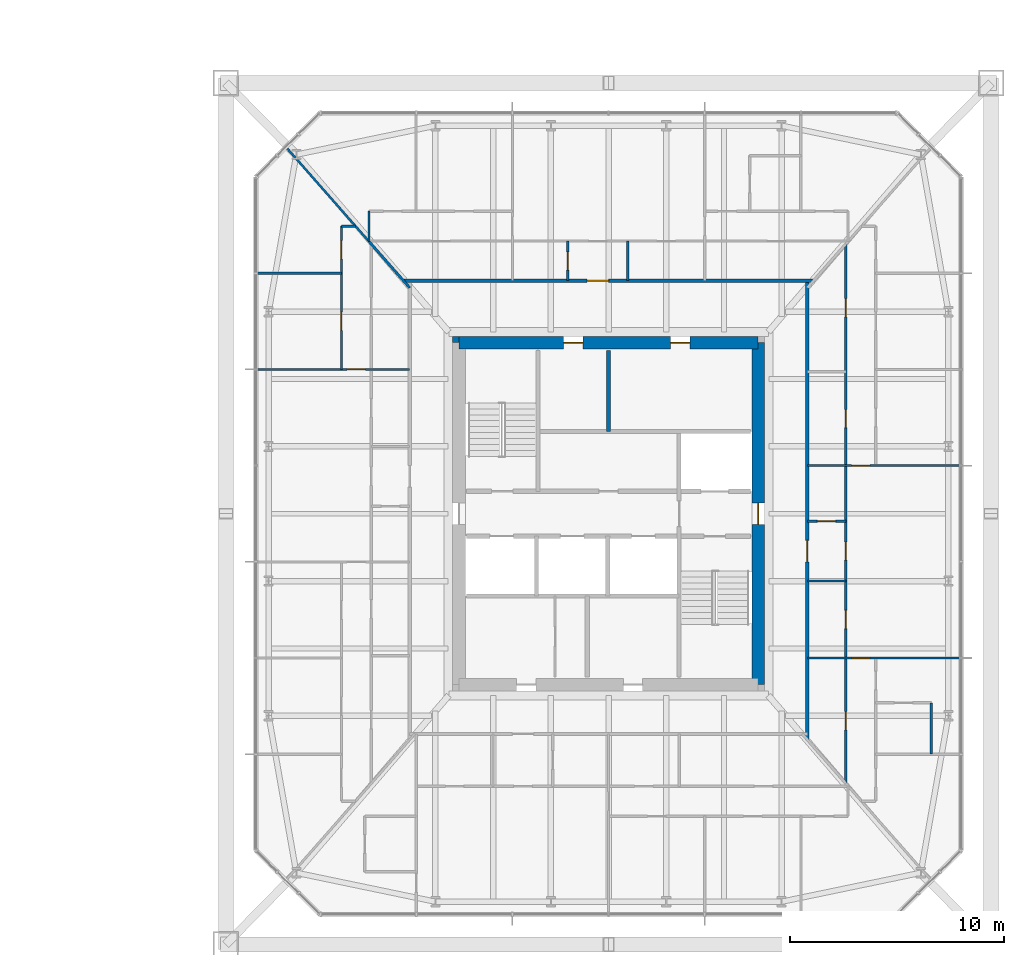
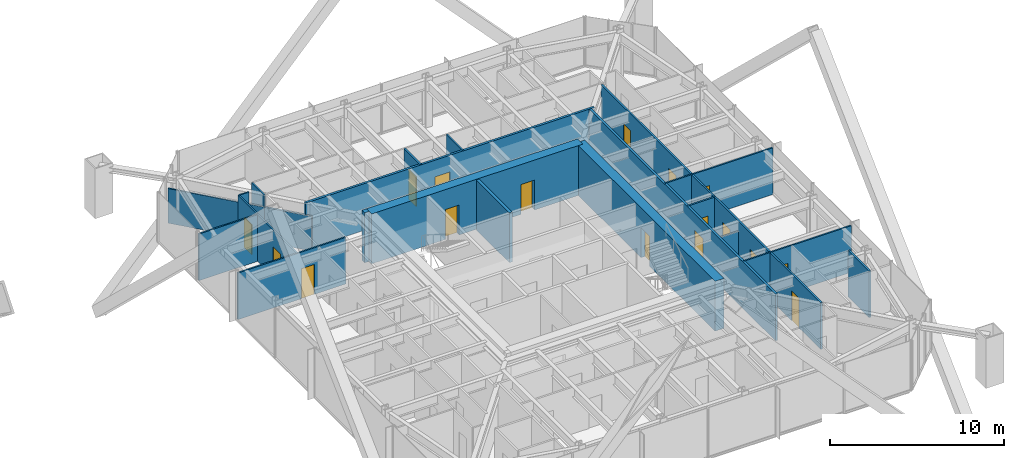
# One storey, part 22 of 28: 21 walls, 17 doors, 17 openings.
"""IFC4 building model written with IfcOpenShell, lengths in metres."""

from ifc_helpers import new_model, si_unit, direction, frame, frame_2d, origin, place, context, subcontext, project, spatial, rectangle, extrude, material, layer, layer_set, type_object, element, fill, save


model = new_model("IFC4")

# Units and contexts
model_context = context("Model", 3, precision=1e-05, world=origin(), true_north=direction((0.0, 1.0)))
body_context = subcontext(model_context, "Body", "Model", "MODEL_VIEW")
ifc_project = project(units=[si_unit("LENGTHUNIT", "METRE"), si_unit("AREAUNIT", "SQUARE_METRE"), si_unit("VOLUMEUNIT", "CUBIC_METRE"), si_unit("PLANEANGLEUNIT", "RADIAN"), si_unit("MASSUNIT", "GRAM", prefix="KILO")], contexts=[model_context])

# Site, building, storey
site_placement = place(None, origin())
site = spatial("IfcSite", under=ifc_project, at=site_placement, CompositionType="ELEMENT")
building_placement = place(site_placement, origin())
building = spatial("IfcBuilding", under=site, at=building_placement, Name="Iwan Alto Co-Living Towers", CompositionType="ELEMENT")
storey_placement = place(building_placement, frame((0.0, 0.0, 43.0)))
storey = spatial("IfcBuildingStorey", under=building, at=storey_placement, Name="L11", CompositionType="ELEMENT", Elevation=43.0)

# Wall, opening, door
ifc_material_1 = material(Name="Gypsum board")
ifc_layer_1 = layer(ifc_material_1, 0.02490234375, Name="Board", Category="Finish")
ifc_material_2 = material(Name="Steel ASTM A1003 ST33H cold-formed studs", Category="steel")
ifc_layer_2 = layer(ifc_material_2, 0.10009765625, Name="Studs", Category="Framing")
ifc_layer_3 = layer(ifc_material_1, 0.02490234375, Name="Board", Category="Finish")
ifc_layer_set_1 = layer_set([ifc_layer_1, ifc_layer_2, ifc_layer_3], Name="CORRIDOR WALL 150")
wall_type_1 = type_object("IfcWallType", Name="CORRIDOR WALL 150", PredefinedType="PARTITIONING", material=ifc_layer_set_1)
wall_1_placement = place(storey_placement, frame((53.407958984375, 10.89990234375, 0.0), z_axis=(0.0, 0.0, 1.0), x_axis=(1.0, 0.0, 0.0)))
wall_1 = element("IfcWall", 1, at=wall_1_placement, inside=storey, type_object=wall_type_1, Name="Partition L11", PredefinedType="PARTITIONING", context=body_context, shape_type="SweptSolid", body=[
    extrude(rectangle(XDim=19.18408203125, YDim=0.14990234375, at=frame_2d((9.592041015625, 0.0))), origin(), (0.0, 0.0, 1.0), 3.27001953125),
])
opening_1_placement = place(wall_1_placement, frame((8.592041015625, 0.0, 0.0)))
opening_1 = element("IfcOpeningElement", 2, at=opening_1_placement, cuts=wall_1, Name="Opening D3", PredefinedType="OPENING", context=body_context, shape_type="SweptSolid", body=[
    extrude(rectangle(XDim=1.0, YDim=2.10009765625, at=frame_2d((0.5, 1.050048828125))), frame((0.0, 0.0849609375, 0.0), z_axis=(0.0, -1.0, 0.0), x_axis=(1.0, 0.0, 0.0)), (0.0, 0.0, 1.0), 0.169921875),
])
ifc_material_3 = material(Name="Steel frame with timber leaf", Category="steel")
door_type_1 = type_object("IfcDoorType", Name="FLAT ENTRANCE DOOR FD30S 1000X2100", OperationType="SINGLE_SWING_LEFT", PredefinedType="DOOR", material=ifc_material_3)
door_1_placement = place(opening_1_placement, origin())
door_1 = element("IfcDoor", 3, at=door_1_placement, inside=storey, type_object=door_type_1, Name="Apartment foyer door L11", OperationType="SINGLE_SWING_LEFT", OverallHeight=2.10009765625, OverallWidth=1.0, PredefinedType="DOOR", context=body_context, shape_type="SweptSolid", body=[
    extrude(rectangle(XDim=1.0, YDim=2.10009765625, at=frame_2d((0.5, 1.050048828125))), frame((0.0, 0.02490234375, 0.0), z_axis=(0.0, -1.0, 0.0), x_axis=(1.0, 0.0, 0.0)), (0.0, 0.0, 1.0), 0.050048828125),
])
fill(opening_1, door_1)

wall_2_placement = place(storey_placement, frame((72.300048828125, -10.568115234375, 0.0), z_axis=(0.0, 0.0, 1.0), x_axis=(0.0, 1.0, 0.0)))
wall_2 = element("IfcWall", 4, at=wall_2_placement, inside=storey, type_object=wall_type_1, Name="Partition L11", PredefinedType="PARTITIONING", context=body_context, shape_type="SweptSolid", body=[
    extrude(rectangle(XDim=21.468017578125, YDim=0.14990234375, at=frame_2d((10.73388671875, 0.0))), origin(), (0.0, 0.0, 1.0), 3.27001953125),
])
opening_2_placement = place(wall_2_placement, frame((8.318115234375, 0.0, 0.0)))
opening_2 = element("IfcOpeningElement", 5, at=opening_2_placement, cuts=wall_2, Name="Opening D3", PredefinedType="OPENING", context=body_context, shape_type="SweptSolid", body=[
    extrude(rectangle(XDim=1.0, YDim=2.10009765625, at=frame_2d((0.5, 1.050048828125))), frame((0.0, 0.0849609375, 0.0), z_axis=(0.0, -1.0, 0.0), x_axis=(1.0, 0.0, 0.0)), (0.0, 0.0, 1.0), 0.169921875),
])
door_2_placement = place(opening_2_placement, frame((1.0, 0.0, 0.0), z_axis=(0.0, 0.0, 1.0), x_axis=(-1.0, 0.0, 0.0)))
door_2 = element("IfcDoor", 6, at=door_2_placement, inside=storey, type_object=door_type_1, Name="Apartment foyer door L11", OperationType="SINGLE_SWING_RIGHT", OverallHeight=2.10009765625, OverallWidth=1.0, PredefinedType="DOOR", context=body_context, shape_type="SweptSolid", body=[
    extrude(rectangle(XDim=1.0, YDim=2.10009765625, at=frame_2d((0.5, 1.050048828125))), frame((0.0, 0.02490234375, 0.0), z_axis=(0.0, -1.0, 0.0), x_axis=(1.0, 0.0, 0.0)), (0.0, 0.0, 1.0), 0.050048828125),
])
fill(opening_2, door_2)

ifc_layer_4 = layer(ifc_material_1, 0.012451171875, Name="Board", Category="Finish")
ifc_layer_5 = layer(ifc_material_2, 0.074951171875, Name="Studs", Category="Framing")
ifc_layer_6 = layer(ifc_material_1, 0.012451171875, Name="Board", Category="Finish")
ifc_layer_set_2 = layer_set([ifc_layer_4, ifc_layer_5, ifc_layer_6], Name="PARTITION 100")
wall_type_2 = type_object("IfcWallType", Name="PARTITION 100", PredefinedType="PARTITIONING", material=ifc_layer_set_2)
wall_3_placement = place(storey_placement, frame((72.300048828125, -6.75, 0.0), z_axis=(0.0, 0.0, 1.0), x_axis=(1.0, 0.0, 0.0)))
wall_3 = element("IfcWall", 7, at=wall_3_placement, inside=storey, type_object=wall_type_2, Name="Partition L11", PredefinedType="PARTITIONING", context=body_context, shape_type="SweptSolid", body=[
    extrude(rectangle(XDim=7.139892578125, YDim=0.10009765625, at=frame_2d((3.56982421875, 0.0))), origin(), (0.0, 0.0, 1.0), 3.27001953125),
])
opening_3_placement = place(wall_3_placement, frame((2.074951171875, 0.0, 0.0)))
opening_3 = element("IfcOpeningElement", 8, at=opening_3_placement, cuts=wall_3, Name="Opening D2", PredefinedType="OPENING", context=body_context, shape_type="SweptSolid", body=[
    extrude(rectangle(XDim=0.85009765625, YDim=2.10009765625, at=frame_2d((0.425048828125, 1.050048828125))), frame((0.0, 0.06005859375, 0.0), z_axis=(0.0, -1.0, 0.0), x_axis=(1.0, 0.0, 0.0)), (0.0, 0.0, 1.0), 0.1201171875),
])
ifc_material_4 = material(Name="Timber leaf in steel frame", Category="steel")
door_type_2 = type_object("IfcDoorType", Name="ROOM DOOR 850X2100", OperationType="SINGLE_SWING_LEFT", PredefinedType="DOOR", material=ifc_material_4)
door_3_placement = place(opening_3_placement, origin())
door_3 = element("IfcDoor", 9, at=door_3_placement, inside=storey, type_object=door_type_2, Name="Apartment hall door L11", OperationType="SINGLE_SWING_LEFT", OverallHeight=2.10009765625, OverallWidth=0.85009765625, PredefinedType="DOOR", context=body_context, shape_type="SweptSolid", body=[
    extrude(rectangle(XDim=0.85009765625, YDim=2.10009765625, at=frame_2d((0.425048828125, 1.050048828125))), frame((0.0, 0.02490234375, 0.0), z_axis=(0.0, -1.0, 0.0), x_axis=(1.0, 0.0, 0.0)), (0.0, 0.0, 1.0), 0.050048828125),
])
fill(opening_3, door_3)

# Wall
wall_4_placement = place(storey_placement, frame((72.300048828125, -3.14990234375, 0.0), z_axis=(0.0, 0.0, 1.0), x_axis=(1.0, 0.0, 0.0)))
element("IfcWall", 10, at=wall_4_placement, inside=storey, type_object=wall_type_2, Name="Partition L11", PredefinedType="PARTITIONING", context=body_context, shape_type="SweptSolid", body=[
    extrude(rectangle(XDim=1.800048828125, YDim=0.10009765625, at=frame_2d((0.89990234375, 0.0))), origin(), (0.0, 0.0, 1.0), 2.586669921875),
])

# Wall, opening, door
wall_5_placement = place(storey_placement, frame((72.300048828125, 2.25, 0.0), z_axis=(0.0, 0.0, 1.0), x_axis=(1.0, 0.0, 0.0)))
wall_5 = element("IfcWall", 11, at=wall_5_placement, inside=storey, type_object=wall_type_2, Name="Partition L11", PredefinedType="PARTITIONING", context=body_context, shape_type="SweptSolid", body=[
    extrude(rectangle(XDim=7.139892578125, YDim=0.10009765625, at=frame_2d((3.56982421875, 0.0))), origin(), (0.0, 0.0, 1.0), 3.27001953125),
])
opening_4_placement = place(wall_5_placement, frame((2.074951171875, 0.0, 0.0)))
opening_4 = element("IfcOpeningElement", 12, at=opening_4_placement, cuts=wall_5, Name="Opening D2", PredefinedType="OPENING", context=body_context, shape_type="SweptSolid", body=[
    extrude(rectangle(XDim=0.85009765625, YDim=2.10009765625, at=frame_2d((0.425048828125, 1.050048828125))), frame((0.0, 0.06005859375, 0.0), z_axis=(0.0, -1.0, 0.0), x_axis=(1.0, 0.0, 0.0)), (0.0, 0.0, 1.0), 0.1201171875),
])
door_4_placement = place(opening_4_placement, frame((0.85009765625, 0.0, 0.0), z_axis=(0.0, 0.0, 1.0), x_axis=(-1.0, 0.0, 0.0)))
door_4 = element("IfcDoor", 13, at=door_4_placement, inside=storey, type_object=door_type_2, Name="Apartment hall door L11", OperationType="SINGLE_SWING_RIGHT", OverallHeight=2.10009765625, OverallWidth=0.85009765625, PredefinedType="DOOR", context=body_context, shape_type="SweptSolid", body=[
    extrude(rectangle(XDim=0.85009765625, YDim=2.10009765625, at=frame_2d((0.425048828125, 1.050048828125))), frame((0.0, 0.02490234375, 0.0), z_axis=(0.0, -1.0, 0.0), x_axis=(1.0, 0.0, 0.0)), (0.0, 0.0, 1.0), 0.050048828125),
])
fill(opening_4, door_4)

wall_6_placement = place(storey_placement, frame((46.56005859375, 6.75, 0.0), z_axis=(0.0, 0.0, 1.0), x_axis=(1.0, 0.0, 0.0)))
wall_6 = element("IfcWall", 14, at=wall_6_placement, inside=storey, type_object=wall_type_2, Name="Partition L11", PredefinedType="PARTITIONING", context=body_context, shape_type="SweptSolid", body=[
    extrude(rectangle(XDim=7.139892578125, YDim=0.10009765625, at=frame_2d((3.56982421875, 0.0))), origin(), (0.0, 0.0, 1.0), 3.27001953125),
])
opening_5_placement = place(wall_6_placement, frame((4.215087890625, 0.0, 0.0)))
opening_5 = element("IfcOpeningElement", 15, at=opening_5_placement, cuts=wall_6, Name="Opening D2", PredefinedType="OPENING", context=body_context, shape_type="SweptSolid", body=[
    extrude(rectangle(XDim=0.85009765625, YDim=2.10009765625, at=frame_2d((0.425048828125, 1.050048828125))), frame((0.0, 0.06005859375, 0.0), z_axis=(0.0, -1.0, 0.0), x_axis=(1.0, 0.0, 0.0)), (0.0, 0.0, 1.0), 0.1201171875),
])
door_5_placement = place(opening_5_placement, frame((0.85009765625, 0.0, 0.0), z_axis=(0.0, 0.0, 1.0), x_axis=(-1.0, 0.0, 0.0)))
door_5 = element("IfcDoor", 16, at=door_5_placement, inside=storey, type_object=door_type_2, Name="Apartment hall door L11", OperationType="SINGLE_SWING_LEFT", OverallHeight=2.10009765625, OverallWidth=0.85009765625, PredefinedType="DOOR", context=body_context, shape_type="SweptSolid", body=[
    extrude(rectangle(XDim=0.85009765625, YDim=2.10009765625, at=frame_2d((0.425048828125, 1.050048828125))), frame((0.0, 0.02490234375, 0.0), z_axis=(0.0, -1.0, 0.0), x_axis=(1.0, 0.0, 0.0)), (0.0, 0.0, 1.0), 0.050048828125),
])
fill(opening_5, door_5)

# Walls
wall_7_placement = place(storey_placement, frame((46.56005859375, 11.25, 0.0), z_axis=(0.0, 0.0, 1.0), x_axis=(1.0, 0.0, 0.0)))
element("IfcWall", 17, at=wall_7_placement, inside=storey, type_object=wall_type_2, Name="Partition L11", PredefinedType="PARTITIONING", context=body_context, shape_type="SweptSolid", body=[
    extrude(rectangle(XDim=3.93994140625, YDim=0.10009765625, at=frame_2d((1.969970703125, 0.0))), origin(), (0.0, 0.0, 1.0), 3.27001953125),
])
wall_8_placement = place(storey_placement, frame((50.5, 13.449951171875, 0.0), z_axis=(0.0, 0.0, 1.0), x_axis=(1.0, 0.0, 0.0)))
element("IfcWall", 18, at=wall_8_placement, inside=storey, type_object=wall_type_2, Name="Partition L11", PredefinedType="PARTITIONING", context=body_context, shape_type="SweptSolid", body=[
    extrude(rectangle(XDim=0.6640625, YDim=0.10009765625, at=frame_2d((0.33203125, 0.0))), origin(), (0.0, 0.0, 1.0), 3.27001953125),
])
wall_9_placement = place(storey_placement, frame((63.89990234375, 10.89990234375, 0.0), z_axis=(0.0, 0.0, 1.0), x_axis=(0.0, 1.0, 0.0)))
element("IfcWall", 19, at=wall_9_placement, inside=storey, type_object=wall_type_2, Name="Partition L11", PredefinedType="PARTITIONING", context=body_context, shape_type="SweptSolid", body=[
    extrude(rectangle(XDim=1.85009765625, YDim=0.10009765625, at=frame_2d((0.925048828125, 0.0))), origin(), (0.0, 0.0, 1.0), 3.27001953125),
])
wall_10_placement = place(storey_placement, frame((51.800048828125, 12.72705078125, 0.0), z_axis=(0.0, 0.0, 1.0), x_axis=(0.0, 1.0, 0.0)))
element("IfcWall", 20, at=wall_10_placement, inside=storey, type_object=wall_type_2, Name="Partition L11", PredefinedType="PARTITIONING", context=body_context, shape_type="SweptSolid", body=[
    extrude(rectangle(XDim=1.4228515625, YDim=0.10009765625, at=frame_2d((0.71142578125, 0.0))), origin(), (0.0, 0.0, 1.0), 3.27001953125),
])

# Wall, openings, doors
wall_11_placement = place(storey_placement, frame((50.5, 6.75, 0.0), z_axis=(0.0, 0.0, 1.0), x_axis=(0.0, 1.0, 0.0)))
wall_11 = element("IfcWall", 21, at=wall_11_placement, inside=storey, type_object=wall_type_2, Name="Partition L11", PredefinedType="PARTITIONING", context=body_context, shape_type="SweptSolid", body=[
    extrude(rectangle(XDim=6.699951171875, YDim=0.10009765625, at=frame_2d((3.35009765625, 0.0))), origin(), (0.0, 0.0, 1.0), 3.27001953125),
])
opening_6_placement = place(wall_11_placement, frame((1.824951171875, 0.0, 0.0)))
opening_6 = element("IfcOpeningElement", 22, at=opening_6_placement, cuts=wall_11, Name="Opening D2", PredefinedType="OPENING", context=body_context, shape_type="SweptSolid", body=[
    extrude(rectangle(XDim=0.85009765625, YDim=2.10009765625, at=frame_2d((0.425048828125, 1.050048828125))), frame((0.0, 0.06005859375, 0.0), z_axis=(0.0, -1.0, 0.0), x_axis=(1.0, 0.0, 0.0)), (0.0, 0.0, 1.0), 0.1201171875),
])
opening_7_placement = place(wall_11_placement, frame((5.175048828125, 0.0, 0.0)))
opening_7 = element("IfcOpeningElement", 23, at=opening_7_placement, cuts=wall_11, Name="Opening D2", PredefinedType="OPENING", context=body_context, shape_type="SweptSolid", body=[
    extrude(rectangle(XDim=0.85009765625, YDim=2.10009765625, at=frame_2d((0.425048828125, 1.050048828125))), frame((0.0, 0.06005859375, 0.0), z_axis=(0.0, -1.0, 0.0), x_axis=(1.0, 0.0, 0.0)), (0.0, 0.0, 1.0), 0.1201171875),
])
door_6_placement = place(opening_6_placement, origin())
door_6 = element("IfcDoor", 24, at=door_6_placement, inside=storey, type_object=door_type_2, Name="Study door L11", OperationType="SINGLE_SWING_LEFT", OverallHeight=2.10009765625, OverallWidth=0.85009765625, PredefinedType="DOOR", context=body_context, shape_type="SweptSolid", body=[
    extrude(rectangle(XDim=0.85009765625, YDim=2.10009765625, at=frame_2d((0.425048828125, 1.050048828125))), frame((0.0, 0.02490234375, 0.0), z_axis=(0.0, -1.0, 0.0), x_axis=(1.0, 0.0, 0.0)), (0.0, 0.0, 1.0), 0.050048828125),
])
fill(opening_6, door_6)
door_7_placement = place(opening_7_placement, origin())
door_7 = element("IfcDoor", 25, at=door_7_placement, inside=storey, type_object=door_type_2, Name="Bedroom door L11", OperationType="SINGLE_SWING_LEFT", OverallHeight=2.10009765625, OverallWidth=0.85009765625, PredefinedType="DOOR", context=body_context, shape_type="SweptSolid", body=[
    extrude(rectangle(XDim=0.85009765625, YDim=2.10009765625, at=frame_2d((0.425048828125, 1.050048828125))), frame((0.0, 0.02490234375, 0.0), z_axis=(0.0, -1.0, 0.0), x_axis=(1.0, 0.0, 0.0)), (0.0, 0.0, 1.0), 0.050048828125),
])
fill(opening_7, door_7)

# Walls
wall_12_placement = place(storey_placement, frame((51.801025390625, 12.72802734375, 0.0), z_axis=(0.0, 0.0, 1.0), x_axis=(-0.660267638736, 0.751030389024, 0.0)))
element("IfcWall", 26, at=wall_12_placement, inside=storey, type_object=wall_type_2, Name="Partition L11", PredefinedType="PARTITIONING", context=body_context, shape_type="SweptSolid", body=[
    extrude(rectangle(XDim=5.8369140625, YDim=0.10009765625, at=frame_2d((2.91845703125, 0.0))), origin(), (0.0, 0.0, 1.0), 2.42919921875),
])
ifc_material_5 = material(Name="Concrete f'c 70 MPa", Category="concrete")
ifc_layer_7 = layer(ifc_material_5, 0.199951171875)
ifc_layer_set_3 = layer_set([ifc_layer_7], Name="SHAFT WALL 200")
wall_type_3 = type_object("IfcWallType", Name="SHAFT WALL 200", PredefinedType="SOLIDWALL", material=ifc_layer_set_3)
wall_13_placement = place(storey_placement, frame((63.0, 3.85009765625, 0.0), z_axis=(0.0, 0.0, 1.0), x_axis=(0.0, 1.0, 0.0)))
element("IfcWall", 27, at=wall_13_placement, inside=storey, type_object=wall_type_3, Name="Shaft wall L11", PredefinedType="SOLIDWALL", context=body_context, shape_type="SweptSolid", body=[
    extrude(rectangle(XDim=3.789794921875, YDim=0.199951171875, at=frame_2d((1.89501953125, 0.0))), origin(), (0.0, 0.0, 1.0), 3.5),
])
ifc_material_6 = material(Name="Concrete f'c 70 MPa", Category="concrete")
ifc_layer_8 = layer(ifc_material_6, 0.300048828125)
ifc_layer_set_4 = layer_set([ifc_layer_8], Name="T2 CORE CORNER FILL 300")
wall_type_4 = type_object("IfcWallType", Name="T2 CORE CORNER FILL 300", PredefinedType="SOLIDWALL", material=ifc_layer_set_4)
wall_14_placement = place(storey_placement, frame((55.699951171875, 8.14990234375, 0.0), z_axis=(0.0, 0.0, 1.0), x_axis=(1.0, 0.0, 0.0)))
element("IfcWall", 28, at=wall_14_placement, inside=storey, type_object=wall_type_4, Name="T2 core corner NW L11", PredefinedType="SOLIDWALL", context=body_context, shape_type="SweptSolid", body=[
    extrude(rectangle(XDim=0.300048828125, YDim=0.300048828125, at=frame_2d((0.14990234375, 0.0))), origin(), (0.0, 0.0, 1.0), 3.5),
])

# Wall, openings, doors
ifc_material_7 = material(Name="Concrete f'c 70 MPa", Category="concrete")
ifc_layer_9 = layer(ifc_material_7, 0.60009765625)
ifc_layer_set_5 = layer_set([ifc_layer_9], Name="T2 CORE WALL 600")
wall_type_5 = type_object("IfcWallType", Name="T2 CORE WALL 600", PredefinedType="SHEAR", material=ifc_layer_set_5)
wall_15_placement = place(storey_placement, frame((70.0, 8.0, 0.0), z_axis=(0.0, 0.0, 1.0), x_axis=(-1.0, 0.0, 0.0)))
wall_15 = element("IfcWall", 29, at=wall_15_placement, inside=storey, type_object=wall_type_5, Name="T2 core wall N L11", PredefinedType="SHEAR", context=body_context, shape_type="SweptSolid", body=[
    extrude(rectangle(XDim=14.0, YDim=0.60009765625, at=frame_2d((7.0, 0.0))), origin(), (0.0, 0.0, 1.0), 3.5),
])
opening_8_placement = place(wall_15_placement, frame((8.199951171875, 0.0, 0.0)))
opening_8 = element("IfcOpeningElement", 30, at=opening_8_placement, cuts=wall_15, Name="Opening D8", PredefinedType="OPENING", context=body_context, shape_type="SweptSolid", body=[
    extrude(rectangle(XDim=0.89990234375, YDim=2.10009765625, at=frame_2d((0.449951171875, 1.050048828125))), frame((0.0, 0.31005859375, 0.0), z_axis=(0.0, -1.0, 0.0), x_axis=(1.0, 0.0, 0.0)), (0.0, 0.0, 1.0), 0.6201171875),
])
opening_9_placement = place(wall_15_placement, frame((3.199951171875, 0.0, 0.0)))
opening_9 = element("IfcOpeningElement", 31, at=opening_9_placement, cuts=wall_15, Name="Opening D8", PredefinedType="OPENING", context=body_context, shape_type="SweptSolid", body=[
    extrude(rectangle(XDim=0.89990234375, YDim=2.10009765625, at=frame_2d((0.449951171875, 1.050048828125))), frame((0.0, 0.31005859375, 0.0), z_axis=(0.0, -1.0, 0.0), x_axis=(1.0, 0.0, 0.0)), (0.0, 0.0, 1.0), 0.6201171875),
])
ifc_material_8 = material(Name="Steel frame with timber leaf", Category="steel")
door_type_3 = type_object("IfcDoorType", Name="RISER DOOR FD120 900X2100", OperationType="SINGLE_SWING_LEFT", PredefinedType="DOOR", material=ifc_material_8)
door_8_placement = place(opening_8_placement, origin())
door_8 = element("IfcDoor", 32, at=door_8_placement, inside=storey, type_object=door_type_3, Name="Electrical riser core door L11", OperationType="SINGLE_SWING_RIGHT", OverallHeight=2.10009765625, OverallWidth=0.89990234375, PredefinedType="DOOR", context=body_context, shape_type="SweptSolid", body=[
    extrude(rectangle(XDim=0.89990234375, YDim=2.10009765625, at=frame_2d((0.449951171875, 1.050048828125))), frame((0.0, 0.02490234375, 0.0), z_axis=(0.0, -1.0, 0.0), x_axis=(1.0, 0.0, 0.0)), (0.0, 0.0, 1.0), 0.050048828125),
])
fill(opening_8, door_8)
door_9_placement = place(opening_9_placement, origin())
door_9 = element("IfcDoor", 33, at=door_9_placement, inside=storey, type_object=door_type_3, Name="Water and drainage riser core door L11", OperationType="SINGLE_SWING_RIGHT", OverallHeight=2.10009765625, OverallWidth=0.89990234375, PredefinedType="DOOR", context=body_context, shape_type="SweptSolid", body=[
    extrude(rectangle(XDim=0.89990234375, YDim=2.10009765625, at=frame_2d((0.449951171875, 1.050048828125))), frame((0.0, 0.02490234375, 0.0), z_axis=(0.0, -1.0, 0.0), x_axis=(1.0, 0.0, 0.0)), (0.0, 0.0, 1.0), 0.050048828125),
])
fill(opening_9, door_9)

# Wall, opening, door
wall_16_placement = place(storey_placement, frame((70.0, -8.0, 0.0), z_axis=(0.0, 0.0, 1.0), x_axis=(0.0, 1.0, 0.0)))
wall_16 = element("IfcWall", 34, at=wall_16_placement, inside=storey, type_object=wall_type_5, Name="T2 core wall E L11", PredefinedType="SHEAR", context=body_context, shape_type="SweptSolid", body=[
    extrude(rectangle(XDim=16.0, YDim=0.60009765625, at=frame_2d((8.0, 0.0))), origin(), (0.0, 0.0, 1.0), 3.5),
])
opening_10_placement = place(wall_16_placement, frame((7.5, 0.0, 0.0)))
opening_10 = element("IfcOpeningElement", 35, at=opening_10_placement, cuts=wall_16, Name="Opening D7", PredefinedType="OPENING", context=body_context, shape_type="SweptSolid", body=[
    extrude(rectangle(XDim=1.0, YDim=2.10009765625, at=frame_2d((0.5, 1.050048828125))), frame((0.0, 0.31005859375, 0.0), z_axis=(0.0, -1.0, 0.0), x_axis=(1.0, 0.0, 0.0)), (0.0, 0.0, 1.0), 0.6201171875),
])
ifc_material_9 = material(Name="Steel frame with timber leaf", Category="steel")
door_type_4 = type_object("IfcDoorType", Name="CORE DOOR FD120S 1000X2100", OperationType="SINGLE_SWING_LEFT", PredefinedType="DOOR", material=ifc_material_9)
door_10_placement = place(opening_10_placement, origin())
door_10 = element("IfcDoor", 36, at=door_10_placement, inside=storey, type_object=door_type_4, Name="Firefighting lobby core door L11", OperationType="SINGLE_SWING_LEFT", OverallHeight=2.10009765625, OverallWidth=1.0, PredefinedType="DOOR", context=body_context, shape_type="SweptSolid", body=[
    extrude(rectangle(XDim=1.0, YDim=2.10009765625, at=frame_2d((0.5, 1.050048828125))), frame((0.0, 0.02490234375, 0.0), z_axis=(0.0, -1.0, 0.0), x_axis=(1.0, 0.0, 0.0)), (0.0, 0.0, 1.0), 0.050048828125),
])
fill(opening_10, door_10)

ifc_material_10 = material(Name="Cement board")
ifc_layer_10 = layer(ifc_material_10, 0.012451171875, Name="Board", Category="Finish")
ifc_layer_11 = layer(ifc_material_2, 0.094970703125, Name="Studs", Category="Framing")
ifc_layer_12 = layer(ifc_material_10, 0.012451171875, Name="Board", Category="Finish")
ifc_layer_set_6 = layer_set([ifc_layer_10, ifc_layer_11, ifc_layer_12], Name="WET AREA PARTITION 120")
wall_type_6 = type_object("IfcWallType", Name="WET AREA PARTITION 120", PredefinedType="PARTITIONING", material=ifc_layer_set_6)
wall_17_placement = place(storey_placement, frame((72.300048828125, -0.35009765625, 0.0), z_axis=(0.0, 0.0, 1.0), x_axis=(1.0, 0.0, 0.0)))
wall_17 = element("IfcWall", 37, at=wall_17_placement, inside=storey, type_object=wall_type_6, Name="Partition L11", PredefinedType="PARTITIONING", context=body_context, shape_type="SweptSolid", body=[
    extrude(rectangle(XDim=1.800048828125, YDim=0.1201171875, at=frame_2d((0.89990234375, 0.0))), origin(), (0.0, 0.0, 1.0), 3.27001953125),
])
opening_11_placement = place(wall_17_placement, frame((0.47509765625, 0.0, 0.0)))
opening_11 = element("IfcOpeningElement", 38, at=opening_11_placement, cuts=wall_17, Name="Opening D2", PredefinedType="OPENING", context=body_context, shape_type="SweptSolid", body=[
    extrude(rectangle(XDim=0.85009765625, YDim=2.10009765625, at=frame_2d((0.425048828125, 1.050048828125))), frame((0.0, 0.070068359375, 0.0), z_axis=(0.0, -1.0, 0.0), x_axis=(1.0, 0.0, 0.0)), (0.0, 0.0, 1.0), 0.14013671875),
])
door_11_placement = place(opening_11_placement, origin())
door_11 = element("IfcDoor", 39, at=door_11_placement, inside=storey, type_object=door_type_2, Name="Bathroom door L11", OperationType="SINGLE_SWING_LEFT", OverallHeight=2.10009765625, OverallWidth=0.85009765625, PredefinedType="DOOR", context=body_context, shape_type="SweptSolid", body=[
    extrude(rectangle(XDim=0.85009765625, YDim=2.10009765625, at=frame_2d((0.425048828125, 1.050048828125))), frame((0.0, 0.02490234375, 0.0), z_axis=(0.0, -1.0, 0.0), x_axis=(1.0, 0.0, 0.0)), (0.0, 0.0, 1.0), 0.050048828125),
])
fill(opening_11, door_11)

# Wall
wall_18_placement = place(storey_placement, frame((78.10009765625, -11.25, 0.0), z_axis=(0.0, 0.0, 1.0), x_axis=(0.0, 1.0, 0.0)))
element("IfcWall", 40, at=wall_18_placement, inside=storey, type_object=wall_type_6, Name="Partition L11", PredefinedType="PARTITIONING", context=body_context, shape_type="SweptSolid", body=[
    extrude(rectangle(XDim=2.39990234375, YDim=0.1201171875, at=frame_2d((1.199951171875, 0.0))), origin(), (0.0, 0.0, 1.0), 3.27001953125),
])

# Wall, openings, doors
wall_19_placement = place(storey_placement, frame((74.10009765625, -12.614013671875, 0.0), z_axis=(0.0, 0.0, 1.0), x_axis=(0.0, 1.0, 0.0)))
wall_19 = element("IfcWall", 41, at=wall_19_placement, inside=storey, type_object=wall_type_6, Name="Partition L11", PredefinedType="PARTITIONING", context=body_context, shape_type="SweptSolid", body=[
    extrude(rectangle(XDim=25.22802734375, YDim=0.1201171875, at=frame_2d((12.614013671875, 0.0))), origin(), (0.0, 0.0, 1.0), 3.27001953125),
])
opening_12_placement = place(wall_19_placement, frame((7.239013671875, 0.0, 0.0)))
opening_12 = element("IfcOpeningElement", 42, at=opening_12_placement, cuts=wall_19, Name="Opening D2", PredefinedType="OPENING", context=body_context, shape_type="SweptSolid", body=[
    extrude(rectangle(XDim=0.85009765625, YDim=2.10009765625, at=frame_2d((0.425048828125, 1.050048828125))), frame((0.0, 0.070068359375, 0.0), z_axis=(0.0, -1.0, 0.0), x_axis=(1.0, 0.0, 0.0)), (0.0, 0.0, 1.0), 0.14013671875),
])
opening_13_placement = place(wall_19_placement, frame((10.43896484375, 0.0, 0.0)))
opening_13 = element("IfcOpeningElement", 43, at=opening_13_placement, cuts=wall_19, Name="Opening D2", PredefinedType="OPENING", context=body_context, shape_type="SweptSolid", body=[
    extrude(rectangle(XDim=0.85009765625, YDim=2.10009765625, at=frame_2d((0.425048828125, 1.050048828125))), frame((0.0, 0.070068359375, 0.0), z_axis=(0.0, -1.0, 0.0), x_axis=(1.0, 0.0, 0.0)), (0.0, 0.0, 1.0), 0.14013671875),
])
opening_14_placement = place(wall_19_placement, frame((2.507080078125, 0.0, 0.0)))
opening_14 = element("IfcOpeningElement", 44, at=opening_14_placement, cuts=wall_19, Name="Opening D2", PredefinedType="OPENING", context=body_context, shape_type="SweptSolid", body=[
    extrude(rectangle(XDim=0.85009765625, YDim=2.10009765625, at=frame_2d((0.425048828125, 1.050048828125))), frame((0.0, 0.070068359375, 0.0), z_axis=(0.0, -1.0, 0.0), x_axis=(1.0, 0.0, 0.0)), (0.0, 0.0, 1.0), 0.14013671875),
])
opening_15_placement = place(wall_19_placement, frame((16.638916015625, 0.0, 0.0)))
opening_15 = element("IfcOpeningElement", 45, at=opening_15_placement, cuts=wall_19, Name="Opening D2", PredefinedType="OPENING", context=body_context, shape_type="SweptSolid", body=[
    extrude(rectangle(XDim=0.85009765625, YDim=2.10009765625, at=frame_2d((0.425048828125, 1.050048828125))), frame((0.0, 0.070068359375, 0.0), z_axis=(0.0, -1.0, 0.0), x_axis=(1.0, 0.0, 0.0)), (0.0, 0.0, 1.0), 0.14013671875),
])
opening_16_placement = place(wall_19_placement, frame((21.821044921875, 0.0, 0.0)))
opening_16 = element("IfcOpeningElement", 46, at=opening_16_placement, cuts=wall_19, Name="Opening D2", PredefinedType="OPENING", context=body_context, shape_type="SweptSolid", body=[
    extrude(rectangle(XDim=0.85009765625, YDim=2.10009765625, at=frame_2d((0.425048828125, 1.050048828125))), frame((0.0, 0.070068359375, 0.0), z_axis=(0.0, -1.0, 0.0), x_axis=(1.0, 0.0, 0.0)), (0.0, 0.0, 1.0), 0.14013671875),
])
door_12_placement = place(opening_12_placement, frame((0.85009765625, 0.0, 0.0), z_axis=(0.0, 0.0, 1.0), x_axis=(-1.0, 0.0, 0.0)))
door_12 = element("IfcDoor", 47, at=door_12_placement, inside=storey, type_object=door_type_2, Name="Kitchen door L11", OperationType="SINGLE_SWING_RIGHT", OverallHeight=2.10009765625, OverallWidth=0.85009765625, PredefinedType="DOOR", context=body_context, shape_type="SweptSolid", body=[
    extrude(rectangle(XDim=0.85009765625, YDim=2.10009765625, at=frame_2d((0.425048828125, 1.050048828125))), frame((0.0, 0.02490234375, 0.0), z_axis=(0.0, -1.0, 0.0), x_axis=(1.0, 0.0, 0.0)), (0.0, 0.0, 1.0), 0.050048828125),
])
fill(opening_12, door_12)
door_13_placement = place(opening_13_placement, frame((0.85009765625, 0.0, 0.0), z_axis=(0.0, 0.0, 1.0), x_axis=(-1.0, 0.0, 0.0)))
door_13 = element("IfcDoor", 48, at=door_13_placement, inside=storey, type_object=door_type_2, Name="Apartment foyer door L11", OperationType="SINGLE_SWING_LEFT", OverallHeight=2.10009765625, OverallWidth=0.85009765625, PredefinedType="DOOR", context=body_context, shape_type="SweptSolid", body=[
    extrude(rectangle(XDim=0.85009765625, YDim=2.10009765625, at=frame_2d((0.425048828125, 1.050048828125))), frame((0.0, 0.02490234375, 0.0), z_axis=(0.0, -1.0, 0.0), x_axis=(1.0, 0.0, 0.0)), (0.0, 0.0, 1.0), 0.050048828125),
])
fill(opening_13, door_13)
door_14_placement = place(opening_14_placement, origin())
door_14 = element("IfcDoor", 49, at=door_14_placement, inside=storey, type_object=door_type_2, Name="Utility room door L11", OperationType="SINGLE_SWING_LEFT", OverallHeight=2.10009765625, OverallWidth=0.85009765625, PredefinedType="DOOR", context=body_context, shape_type="SweptSolid", body=[
    extrude(rectangle(XDim=0.85009765625, YDim=2.10009765625, at=frame_2d((0.425048828125, 1.050048828125))), frame((0.0, 0.02490234375, 0.0), z_axis=(0.0, -1.0, 0.0), x_axis=(1.0, 0.0, 0.0)), (0.0, 0.0, 1.0), 0.050048828125),
])
fill(opening_14, door_14)
door_15_placement = place(opening_15_placement, origin())
door_15 = element("IfcDoor", 50, at=door_15_placement, inside=storey, type_object=door_type_2, Name="Utility room door L11", OperationType="SINGLE_SWING_LEFT", OverallHeight=2.10009765625, OverallWidth=0.85009765625, PredefinedType="DOOR", context=body_context, shape_type="SweptSolid", body=[
    extrude(rectangle(XDim=0.85009765625, YDim=2.10009765625, at=frame_2d((0.425048828125, 1.050048828125))), frame((0.0, 0.02490234375, 0.0), z_axis=(0.0, -1.0, 0.0), x_axis=(1.0, 0.0, 0.0)), (0.0, 0.0, 1.0), 0.050048828125),
])
fill(opening_15, door_15)
door_16_placement = place(opening_16_placement, origin())
door_16 = element("IfcDoor", 51, at=door_16_placement, inside=storey, type_object=door_type_2, Name="Store room door L11", OperationType="SINGLE_SWING_RIGHT", OverallHeight=2.10009765625, OverallWidth=0.85009765625, PredefinedType="DOOR", context=body_context, shape_type="SweptSolid", body=[
    extrude(rectangle(XDim=0.85009765625, YDim=2.10009765625, at=frame_2d((0.425048828125, 1.050048828125))), frame((0.0, 0.02490234375, 0.0), z_axis=(0.0, -1.0, 0.0), x_axis=(1.0, 0.0, 0.0)), (0.0, 0.0, 1.0), 0.050048828125),
])
fill(opening_16, door_16)

# Wall, opening, door
wall_20_placement = place(storey_placement, frame((61.10009765625, 10.89990234375, 0.0), z_axis=(0.0, 0.0, 1.0), x_axis=(0.0, 1.0, 0.0)))
wall_20 = element("IfcWall", 52, at=wall_20_placement, inside=storey, type_object=wall_type_6, Name="Partition L11", PredefinedType="PARTITIONING", context=body_context, shape_type="SweptSolid", body=[
    extrude(rectangle(XDim=1.85009765625, YDim=0.1201171875, at=frame_2d((0.925048828125, 0.0))), origin(), (0.0, 0.0, 1.0), 3.27001953125),
])
opening_17_placement = place(wall_20_placement, frame((0.5, 0.0, 0.0)))
opening_17 = element("IfcOpeningElement", 53, at=opening_17_placement, cuts=wall_20, Name="Opening D2", PredefinedType="OPENING", context=body_context, shape_type="SweptSolid", body=[
    extrude(rectangle(XDim=0.85009765625, YDim=2.10009765625, at=frame_2d((0.425048828125, 1.050048828125))), frame((0.0, 0.070068359375, 0.0), z_axis=(0.0, -1.0, 0.0), x_axis=(1.0, 0.0, 0.0)), (0.0, 0.0, 1.0), 0.14013671875),
])
door_17_placement = place(opening_17_placement, origin())
door_17 = element("IfcDoor", 54, at=door_17_placement, inside=storey, type_object=door_type_2, Name="Bathroom door L11", OperationType="SINGLE_SWING_LEFT", OverallHeight=2.10009765625, OverallWidth=0.85009765625, PredefinedType="DOOR", context=body_context, shape_type="SweptSolid", body=[
    extrude(rectangle(XDim=0.85009765625, YDim=2.10009765625, at=frame_2d((0.425048828125, 1.050048828125))), frame((0.0, 0.02490234375, 0.0), z_axis=(0.0, -1.0, 0.0), x_axis=(1.0, 0.0, 0.0)), (0.0, 0.0, 1.0), 0.050048828125),
])
fill(opening_17, door_17)

# Wall
wall_21_placement = place(storey_placement, frame((53.699951171875, 10.568115234375, 0.0), z_axis=(0.0, 0.0, 1.0), x_axis=(-0.660275707921, 0.751023294931, 0.0)))
element("IfcWall", 55, at=wall_21_placement, inside=storey, type_object=wall_type_6, Name="Partition L11", PredefinedType="PARTITIONING", context=body_context, shape_type="SweptSolid", body=[
    extrude(rectangle(XDim=2.8759765625, YDim=0.1201171875, at=frame_2d((1.43798828125, 0.0))), origin(), (0.0, 0.0, 1.0), 2.42919921875),
])

save(model, "model.ifc")
